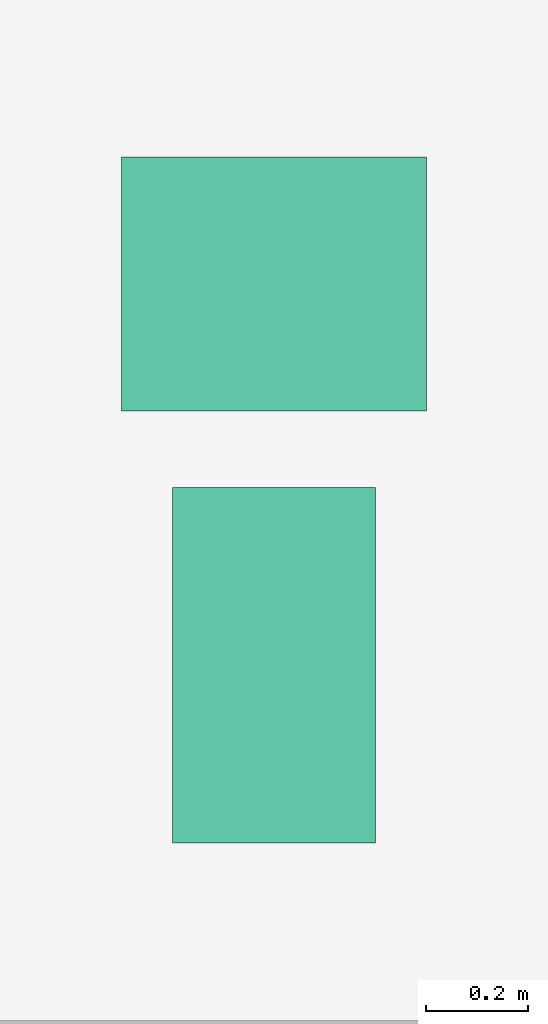
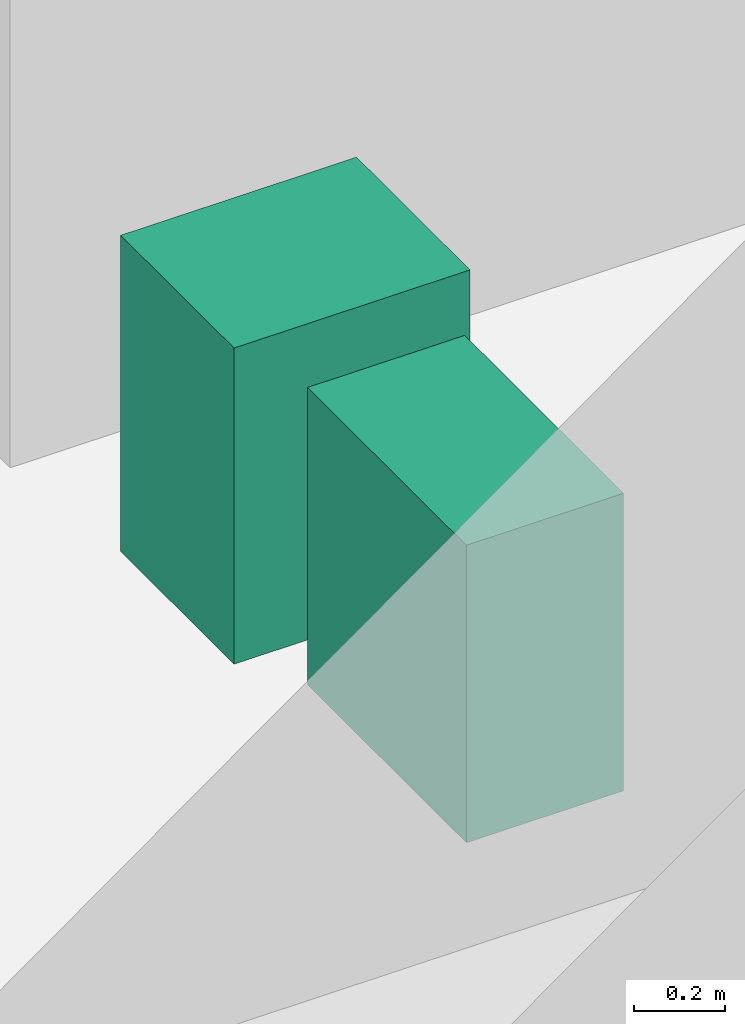
# One storey, part 27 of 27: 2 sanitary terminals.
"""IFC4 building model written with IfcOpenShell, lengths in metres."""

from ifc_helpers import new_model, si_unit, direction, frame, origin, origin_2d, place, context, subcontext, project, spatial, rectangle, extrude, element, save


model = new_model("IFC4")

# Units and contexts
model_context = context("Model", 3, precision=1e-05, world=origin(), true_north=direction((0.0, 1.0)))
body_context = subcontext(model_context, "Body", "Model", "MODEL_VIEW")
ifc_project = project(units=[si_unit("LENGTHUNIT", "METRE"), si_unit("AREAUNIT", "SQUARE_METRE"), si_unit("VOLUMEUNIT", "CUBIC_METRE"), si_unit("PLANEANGLEUNIT", "RADIAN"), si_unit("MASSUNIT", "GRAM", prefix="KILO")], contexts=[model_context])

# Site, building, storey
site_placement = place(None, origin())
site = spatial("IfcSite", under=ifc_project, at=site_placement, CompositionType="ELEMENT")
building_placement = place(site_placement, origin())
building = spatial("IfcBuilding", under=site, at=building_placement, Name="Loomwork Tower", CompositionType="ELEMENT")
storey_placement = place(building_placement, frame((0.0, 0.0, -5.5)))
storey = spatial("IfcBuildingStorey", under=building, at=storey_placement, Name="B1", CompositionType="ELEMENT", Elevation=-5.5)

# Sanitary terminals
sanitary_terminal_1_placement = place(storey_placement, frame((16.199951171875, 12.10009765625, 0.0), z_axis=(0.0, 0.0, 1.0), x_axis=(1.0, 0.0, 0.0)))
element("IfcSanitaryTerminal", 1, at=sanitary_terminal_1_placement, inside=storey, Name="WC B1", PredefinedType="TOILETPAN", context=body_context, shape_type="SweptSolid", body=[
    extrude(rectangle(XDim=0.39990234375, YDim=0.699951171875, at=origin_2d()), origin(), (0.0, 0.0, 1.0), 0.800048828125),
])
sanitary_terminal_2_placement = place(storey_placement, frame((16.199951171875, 12.85009765625, 0.0), z_axis=(0.0, 0.0, 1.0), x_axis=(1.0, 0.0, 0.0)))
element("IfcSanitaryTerminal", 2, at=sanitary_terminal_2_placement, inside=storey, Name="Basin B1", PredefinedType="WASHHANDBASIN", context=body_context, shape_type="SweptSolid", body=[
    extrude(rectangle(XDim=0.60009765625, YDim=0.5, at=origin_2d()), origin(), (0.0, 0.0, 1.0), 0.85009765625),
])

save(model, "model.ifc")
